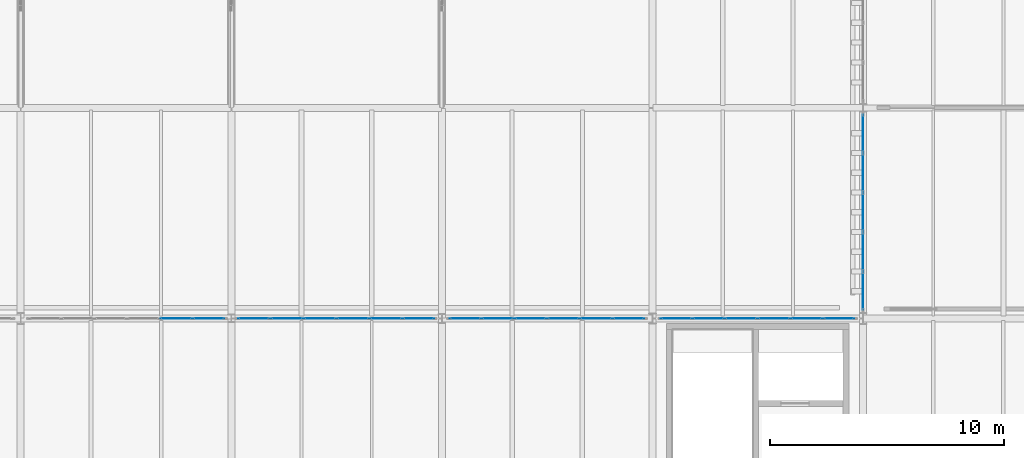
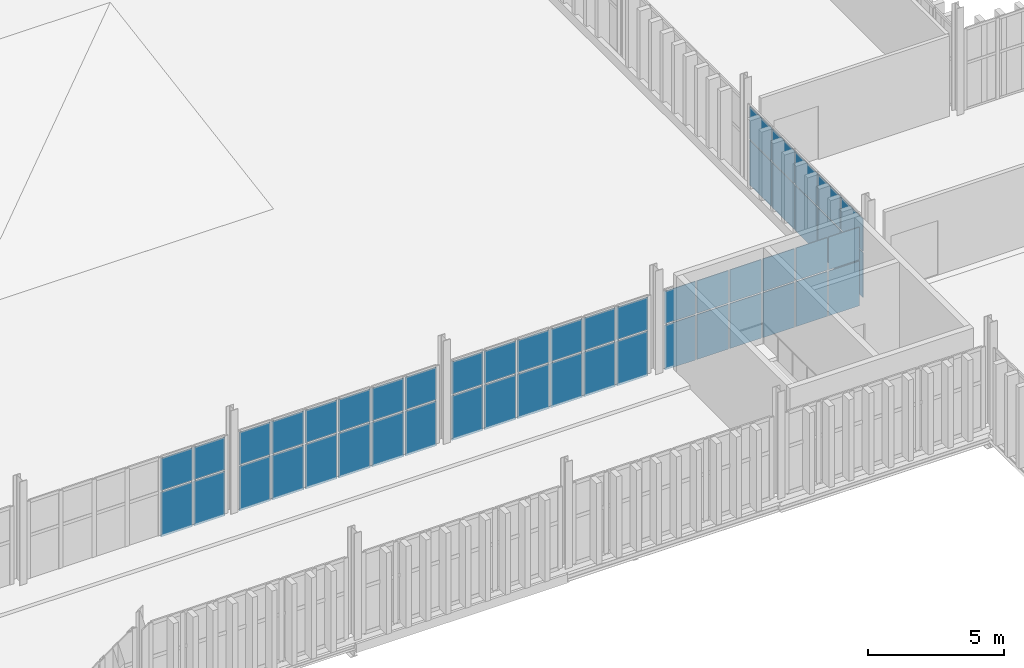
# One storey, part 160 of 196: 50 plates, 5 elements without a shape of their own.
"""IFC4 building model written with IfcOpenShell, lengths in metres."""

from ifc_helpers import new_model, si_unit, direction, frame, origin, origin_2d, place, context, subcontext, project, spatial, rectangle, extrude, material, layer, layer_set, type_object, element, aggregate, save


model = new_model("IFC4")

# Units and contexts
model_context = context("Model", 3, precision=1e-05, world=origin(), true_north=direction((0.0, 1.0)))
body_context = subcontext(model_context, "Body", "Model", "MODEL_VIEW")
ifc_project = project(units=[si_unit("LENGTHUNIT", "METRE"), si_unit("AREAUNIT", "SQUARE_METRE"), si_unit("VOLUMEUNIT", "CUBIC_METRE"), si_unit("PLANEANGLEUNIT", "RADIAN"), si_unit("MASSUNIT", "GRAM", prefix="KILO")], contexts=[model_context])

# Site, building, storey
site_placement = place(None, origin())
site = spatial("IfcSite", under=ifc_project, at=site_placement, CompositionType="ELEMENT")
building_placement = place(site_placement, origin())
building = spatial("IfcBuilding", under=site, at=building_placement, Name="Barlavento Convention Centre", CompositionType="ELEMENT")
storey_placement = place(building_placement, frame((0.0, 0.0, 18.0)))
storey = spatial("IfcBuildingStorey", under=building, at=storey_placement, Name="L03", CompositionType="ELEMENT", Elevation=18.0)

# Curtain wall, plates
ifc_material_1 = material(Name="Powder-coated aluminium and Low-E glass", Category="aluminium")
ifc_layer_1 = layer(ifc_material_1, 0.179931640625)
ifc_layer_set_1 = layer_set([ifc_layer_1], Name="ARC-CW-CONF-L03")
curtain_wall_type = type_object("IfcCurtainWallType", Name="ARC-CW-CONF-L03", PredefinedType="NOTDEFINED", material=ifc_layer_set_1)
curtain_wall_1_placement = place(storey_placement, origin())
curtain_wall_1 = element("IfcCurtainWall", 1, at=curtain_wall_1_placement, inside=storey, type_object=curtain_wall_type, Name="L03 unitised curtain wall CW08", PredefinedType="NOTDEFINED")
ifc_material_2 = material(Name="Double-silver Low-E insulated glass", Category="glass")
ifc_layer_2 = layer(ifc_material_2, 0.028076171875)
ifc_layer_set_2 = layer_set([ifc_layer_2], Name="ARC-CWP-GLZ28")
plate_type = type_object("IfcPlateType", Name="ARC-CWP-GLZ28", PredefinedType="CURTAIN_PANEL", material=ifc_layer_set_2)
plate_1_placement = place(storey_placement, frame((96.64990234375, 54.0, 0.06005859375), z_axis=(0.0, 0.0, 1.0), x_axis=(1.0, 0.0, 0.0)))
plate_1 = element("IfcPlate", 2, at=plate_1_placement, type_object=plate_type, Name="CW08 panel 5.1", PredefinedType="CURTAIN_PANEL", context=body_context, shape_type="SweptSolid", body=[
    extrude(rectangle(XDim=1.3466796875, YDim=0.028076171875, at=origin_2d()), origin(), (0.0, 0.0, 1.0), 2.010009765625),
])
plate_2_placement = place(storey_placement, frame((96.64990234375, 54.0, 2.130126953125), z_axis=(0.0, 0.0, 1.0), x_axis=(1.0, 0.0, 0.0)))
plate_2 = element("IfcPlate", 3, at=plate_2_placement, type_object=plate_type, Name="CW08 panel 5.2", PredefinedType="CURTAIN_PANEL", context=body_context, shape_type="SweptSolid", body=[
    extrude(rectangle(XDim=1.3466796875, YDim=0.028076171875, at=origin_2d()), origin(), (0.0, 0.0, 1.0), 1.4599609375),
])
plate_3_placement = place(storey_placement, frame((98.041748046875, 54.0, 0.06005859375), z_axis=(0.0, 0.0, 1.0), x_axis=(1.0, 0.0, 0.0)))
plate_3 = element("IfcPlate", 4, at=plate_3_placement, type_object=plate_type, Name="CW08 panel 6.1", PredefinedType="CURTAIN_PANEL", context=body_context, shape_type="SweptSolid", body=[
    extrude(rectangle(XDim=1.316650390625, YDim=0.028076171875, at=origin_2d()), origin(), (0.0, 0.0, 1.0), 2.010009765625),
])
plate_4_placement = place(storey_placement, frame((98.041748046875, 54.0, 2.130126953125), z_axis=(0.0, 0.0, 1.0), x_axis=(1.0, 0.0, 0.0)))
plate_4 = element("IfcPlate", 5, at=plate_4_placement, type_object=plate_type, Name="CW08 panel 6.2", PredefinedType="CURTAIN_PANEL", context=body_context, shape_type="SweptSolid", body=[
    extrude(rectangle(XDim=1.316650390625, YDim=0.028076171875, at=origin_2d()), origin(), (0.0, 0.0, 1.0), 1.4599609375),
])
aggregate(curtain_wall_1, [plate_1, plate_2, plate_3, plate_4])

curtain_wall_2_placement = place(storey_placement, origin())
curtain_wall_2 = element("IfcCurtainWall", 6, at=curtain_wall_2_placement, inside=storey, type_object=curtain_wall_type, Name="L03 unitised curtain wall CW08", PredefinedType="NOTDEFINED")
plate_5_placement = place(storey_placement, frame((99.96240234375, 54.0, 0.06005859375), z_axis=(0.0, 0.0, 1.0), x_axis=(1.0, 0.0, 0.0)))
plate_5 = element("IfcPlate", 7, at=plate_5_placement, type_object=plate_type, Name="CW08 panel 1.1", PredefinedType="CURTAIN_PANEL", context=body_context, shape_type="SweptSolid", body=[
    extrude(rectangle(XDim=1.324951171875, YDim=0.028076171875, at=origin_2d()), origin(), (0.0, 0.0, 1.0), 2.010009765625),
])
plate_6_placement = place(storey_placement, frame((99.96240234375, 54.0, 2.130126953125), z_axis=(0.0, 0.0, 1.0), x_axis=(1.0, 0.0, 0.0)))
plate_6 = element("IfcPlate", 8, at=plate_6_placement, type_object=plate_type, Name="CW08 panel 1.2", PredefinedType="CURTAIN_PANEL", context=body_context, shape_type="SweptSolid", body=[
    extrude(rectangle(XDim=1.324951171875, YDim=0.028076171875, at=origin_2d()), origin(), (0.0, 0.0, 1.0), 1.4599609375),
])
plate_7_placement = place(storey_placement, frame((101.362548828125, 54.0, 0.06005859375), z_axis=(0.0, 0.0, 1.0), x_axis=(1.0, 0.0, 0.0)))
plate_7 = element("IfcPlate", 9, at=plate_7_placement, type_object=plate_type, Name="CW08 panel 2.1", PredefinedType="CURTAIN_PANEL", context=body_context, shape_type="SweptSolid", body=[
    extrude(rectangle(XDim=1.35498046875, YDim=0.028076171875, at=origin_2d()), origin(), (0.0, 0.0, 1.0), 2.010009765625),
])
plate_8_placement = place(storey_placement, frame((101.362548828125, 54.0, 2.130126953125), z_axis=(0.0, 0.0, 1.0), x_axis=(1.0, 0.0, 0.0)))
plate_8 = element("IfcPlate", 10, at=plate_8_placement, type_object=plate_type, Name="CW08 panel 2.2", PredefinedType="CURTAIN_PANEL", context=body_context, shape_type="SweptSolid", body=[
    extrude(rectangle(XDim=1.35498046875, YDim=0.028076171875, at=origin_2d()), origin(), (0.0, 0.0, 1.0), 1.4599609375),
])
plate_9_placement = place(storey_placement, frame((102.777587890625, 54.0, 0.06005859375), z_axis=(0.0, 0.0, 1.0), x_axis=(1.0, 0.0, 0.0)))
plate_9 = element("IfcPlate", 11, at=plate_9_placement, type_object=plate_type, Name="CW08 panel 3.1", PredefinedType="CURTAIN_PANEL", context=body_context, shape_type="SweptSolid", body=[
    extrude(rectangle(XDim=1.35498046875, YDim=0.028076171875, at=origin_2d()), origin(), (0.0, 0.0, 1.0), 2.010009765625),
])
plate_10_placement = place(storey_placement, frame((102.777587890625, 54.0, 2.130126953125), z_axis=(0.0, 0.0, 1.0), x_axis=(1.0, 0.0, 0.0)))
plate_10 = element("IfcPlate", 12, at=plate_10_placement, type_object=plate_type, Name="CW08 panel 3.2", PredefinedType="CURTAIN_PANEL", context=body_context, shape_type="SweptSolid", body=[
    extrude(rectangle(XDim=1.35498046875, YDim=0.028076171875, at=origin_2d()), origin(), (0.0, 0.0, 1.0), 1.4599609375),
])
plate_11_placement = place(storey_placement, frame((104.1923828125, 54.0, 0.06005859375), z_axis=(0.0, 0.0, 1.0), x_axis=(1.0, 0.0, 0.0)))
plate_11 = element("IfcPlate", 13, at=plate_11_placement, type_object=plate_type, Name="CW08 panel 4.1", PredefinedType="CURTAIN_PANEL", context=body_context, shape_type="SweptSolid", body=[
    extrude(rectangle(XDim=1.35498046875, YDim=0.028076171875, at=origin_2d()), origin(), (0.0, 0.0, 1.0), 2.010009765625),
])
plate_12_placement = place(storey_placement, frame((104.1923828125, 54.0, 2.130126953125), z_axis=(0.0, 0.0, 1.0), x_axis=(1.0, 0.0, 0.0)))
plate_12 = element("IfcPlate", 14, at=plate_12_placement, type_object=plate_type, Name="CW08 panel 4.2", PredefinedType="CURTAIN_PANEL", context=body_context, shape_type="SweptSolid", body=[
    extrude(rectangle(XDim=1.35498046875, YDim=0.028076171875, at=origin_2d()), origin(), (0.0, 0.0, 1.0), 1.4599609375),
])
plate_13_placement = place(storey_placement, frame((105.607421875, 54.0, 0.06005859375), z_axis=(0.0, 0.0, 1.0), x_axis=(1.0, 0.0, 0.0)))
plate_13 = element("IfcPlate", 15, at=plate_13_placement, type_object=plate_type, Name="CW08 panel 5.1", PredefinedType="CURTAIN_PANEL", context=body_context, shape_type="SweptSolid", body=[
    extrude(rectangle(XDim=1.35498046875, YDim=0.028076171875, at=origin_2d()), origin(), (0.0, 0.0, 1.0), 2.010009765625),
])
plate_14_placement = place(storey_placement, frame((105.607421875, 54.0, 2.130126953125), z_axis=(0.0, 0.0, 1.0), x_axis=(1.0, 0.0, 0.0)))
plate_14 = element("IfcPlate", 16, at=plate_14_placement, type_object=plate_type, Name="CW08 panel 5.2", PredefinedType="CURTAIN_PANEL", context=body_context, shape_type="SweptSolid", body=[
    extrude(rectangle(XDim=1.35498046875, YDim=0.028076171875, at=origin_2d()), origin(), (0.0, 0.0, 1.0), 1.4599609375),
])
plate_15_placement = place(storey_placement, frame((107.007568359375, 54.0, 0.06005859375), z_axis=(0.0, 0.0, 1.0), x_axis=(1.0, 0.0, 0.0)))
plate_15 = element("IfcPlate", 17, at=plate_15_placement, type_object=plate_type, Name="CW08 panel 6.1", PredefinedType="CURTAIN_PANEL", context=body_context, shape_type="SweptSolid", body=[
    extrude(rectangle(XDim=1.324951171875, YDim=0.028076171875, at=origin_2d()), origin(), (0.0, 0.0, 1.0), 2.010009765625),
])
plate_16_placement = place(storey_placement, frame((107.007568359375, 54.0, 2.130126953125), z_axis=(0.0, 0.0, 1.0), x_axis=(1.0, 0.0, 0.0)))
plate_16 = element("IfcPlate", 18, at=plate_16_placement, type_object=plate_type, Name="CW08 panel 6.2", PredefinedType="CURTAIN_PANEL", context=body_context, shape_type="SweptSolid", body=[
    extrude(rectangle(XDim=1.324951171875, YDim=0.028076171875, at=origin_2d()), origin(), (0.0, 0.0, 1.0), 1.4599609375),
])
aggregate(curtain_wall_2, [plate_5, plate_6, plate_7, plate_8, plate_9, plate_10, plate_11, plate_12, plate_13, plate_14, plate_15, plate_16])

curtain_wall_3_placement = place(storey_placement, origin())
curtain_wall_3 = element("IfcCurtainWall", 19, at=curtain_wall_3_placement, inside=storey, type_object=curtain_wall_type, Name="L03 unitised curtain wall CW08", PredefinedType="NOTDEFINED")
plate_17_placement = place(storey_placement, frame((108.988037109375, 54.0, 0.06005859375), z_axis=(0.0, 0.0, 1.0), x_axis=(1.0, 0.0, 0.0)))
plate_17 = element("IfcPlate", 20, at=plate_17_placement, type_object=plate_type, Name="CW08 panel 1.1", PredefinedType="CURTAIN_PANEL", context=body_context, shape_type="SweptSolid", body=[
    extrude(rectangle(XDim=1.31591796875, YDim=0.028076171875, at=origin_2d()), origin(), (0.0, 0.0, 1.0), 2.010009765625),
])
plate_18_placement = place(storey_placement, frame((108.988037109375, 54.0, 2.130126953125), z_axis=(0.0, 0.0, 1.0), x_axis=(1.0, 0.0, 0.0)))
plate_18 = element("IfcPlate", 21, at=plate_18_placement, type_object=plate_type, Name="CW08 panel 1.2", PredefinedType="CURTAIN_PANEL", context=body_context, shape_type="SweptSolid", body=[
    extrude(rectangle(XDim=1.31591796875, YDim=0.028076171875, at=origin_2d()), origin(), (0.0, 0.0, 1.0), 1.4599609375),
])
plate_19_placement = place(storey_placement, frame((110.378662109375, 54.0, 0.06005859375), z_axis=(0.0, 0.0, 1.0), x_axis=(1.0, 0.0, 0.0)))
plate_19 = element("IfcPlate", 22, at=plate_19_placement, type_object=plate_type, Name="CW08 panel 2.1", PredefinedType="CURTAIN_PANEL", context=body_context, shape_type="SweptSolid", body=[
    extrude(rectangle(XDim=1.345947265625, YDim=0.028076171875, at=origin_2d()), origin(), (0.0, 0.0, 1.0), 2.010009765625),
])
plate_20_placement = place(storey_placement, frame((110.378662109375, 54.0, 2.130126953125), z_axis=(0.0, 0.0, 1.0), x_axis=(1.0, 0.0, 0.0)))
plate_20 = element("IfcPlate", 23, at=plate_20_placement, type_object=plate_type, Name="CW08 panel 2.2", PredefinedType="CURTAIN_PANEL", context=body_context, shape_type="SweptSolid", body=[
    extrude(rectangle(XDim=1.345947265625, YDim=0.028076171875, at=origin_2d()), origin(), (0.0, 0.0, 1.0), 1.4599609375),
])
plate_21_placement = place(storey_placement, frame((111.78466796875, 54.0, 0.06005859375), z_axis=(0.0, 0.0, 1.0), x_axis=(1.0, 0.0, 0.0)))
plate_21 = element("IfcPlate", 24, at=plate_21_placement, type_object=plate_type, Name="CW08 panel 3.1", PredefinedType="CURTAIN_PANEL", context=body_context, shape_type="SweptSolid", body=[
    extrude(rectangle(XDim=1.345947265625, YDim=0.028076171875, at=origin_2d()), origin(), (0.0, 0.0, 1.0), 2.010009765625),
])
plate_22_placement = place(storey_placement, frame((111.78466796875, 54.0, 2.130126953125), z_axis=(0.0, 0.0, 1.0), x_axis=(1.0, 0.0, 0.0)))
plate_22 = element("IfcPlate", 25, at=plate_22_placement, type_object=plate_type, Name="CW08 panel 3.2", PredefinedType="CURTAIN_PANEL", context=body_context, shape_type="SweptSolid", body=[
    extrude(rectangle(XDim=1.345947265625, YDim=0.028076171875, at=origin_2d()), origin(), (0.0, 0.0, 1.0), 1.4599609375),
])
plate_23_placement = place(storey_placement, frame((113.1904296875, 54.0, 0.06005859375), z_axis=(0.0, 0.0, 1.0), x_axis=(1.0, 0.0, 0.0)))
plate_23 = element("IfcPlate", 26, at=plate_23_placement, type_object=plate_type, Name="CW08 panel 4.1", PredefinedType="CURTAIN_PANEL", context=body_context, shape_type="SweptSolid", body=[
    extrude(rectangle(XDim=1.345947265625, YDim=0.028076171875, at=origin_2d()), origin(), (0.0, 0.0, 1.0), 2.010009765625),
])
plate_24_placement = place(storey_placement, frame((113.1904296875, 54.0, 2.130126953125), z_axis=(0.0, 0.0, 1.0), x_axis=(1.0, 0.0, 0.0)))
plate_24 = element("IfcPlate", 27, at=plate_24_placement, type_object=plate_type, Name="CW08 panel 4.2", PredefinedType="CURTAIN_PANEL", context=body_context, shape_type="SweptSolid", body=[
    extrude(rectangle(XDim=1.345947265625, YDim=0.028076171875, at=origin_2d()), origin(), (0.0, 0.0, 1.0), 1.4599609375),
])
plate_25_placement = place(storey_placement, frame((114.59619140625, 54.0, 0.06005859375), z_axis=(0.0, 0.0, 1.0), x_axis=(1.0, 0.0, 0.0)))
plate_25 = element("IfcPlate", 28, at=plate_25_placement, type_object=plate_type, Name="CW08 panel 5.1", PredefinedType="CURTAIN_PANEL", context=body_context, shape_type="SweptSolid", body=[
    extrude(rectangle(XDim=1.345947265625, YDim=0.028076171875, at=origin_2d()), origin(), (0.0, 0.0, 1.0), 2.010009765625),
])
plate_26_placement = place(storey_placement, frame((114.59619140625, 54.0, 2.130126953125), z_axis=(0.0, 0.0, 1.0), x_axis=(1.0, 0.0, 0.0)))
plate_26 = element("IfcPlate", 29, at=plate_26_placement, type_object=plate_type, Name="CW08 panel 5.2", PredefinedType="CURTAIN_PANEL", context=body_context, shape_type="SweptSolid", body=[
    extrude(rectangle(XDim=1.345947265625, YDim=0.028076171875, at=origin_2d()), origin(), (0.0, 0.0, 1.0), 1.4599609375),
])
plate_27_placement = place(storey_placement, frame((115.987060546875, 54.0, 0.06005859375), z_axis=(0.0, 0.0, 1.0), x_axis=(1.0, 0.0, 0.0)))
plate_27 = element("IfcPlate", 30, at=plate_27_placement, type_object=plate_type, Name="CW08 panel 6.1", PredefinedType="CURTAIN_PANEL", context=body_context, shape_type="SweptSolid", body=[
    extrude(rectangle(XDim=1.31591796875, YDim=0.028076171875, at=origin_2d()), origin(), (0.0, 0.0, 1.0), 2.010009765625),
])
plate_28_placement = place(storey_placement, frame((115.987060546875, 54.0, 2.130126953125), z_axis=(0.0, 0.0, 1.0), x_axis=(1.0, 0.0, 0.0)))
plate_28 = element("IfcPlate", 31, at=plate_28_placement, type_object=plate_type, Name="CW08 panel 6.2", PredefinedType="CURTAIN_PANEL", context=body_context, shape_type="SweptSolid", body=[
    extrude(rectangle(XDim=1.31591796875, YDim=0.028076171875, at=origin_2d()), origin(), (0.0, 0.0, 1.0), 1.4599609375),
])
aggregate(curtain_wall_3, [plate_17, plate_18, plate_19, plate_20, plate_21, plate_22, plate_23, plate_24, plate_25, plate_26, plate_27, plate_28])

curtain_wall_4_placement = place(storey_placement, origin())
curtain_wall_4 = element("IfcCurtainWall", 32, at=curtain_wall_4_placement, inside=storey, type_object=curtain_wall_type, Name="L03 unitised curtain wall CW08", PredefinedType="NOTDEFINED")
plate_29_placement = place(storey_placement, frame((118.0087890625, 54.0, 0.06005859375), z_axis=(0.0, 0.0, 1.0), x_axis=(1.0, 0.0, 0.0)))
plate_29 = element("IfcPlate", 33, at=plate_29_placement, type_object=plate_type, Name="CW08 panel 1.1", PredefinedType="CURTAIN_PANEL", context=body_context, shape_type="SweptSolid", body=[
    extrude(rectangle(XDim=1.3076171875, YDim=0.028076171875, at=origin_2d()), origin(), (0.0, 0.0, 1.0), 2.010009765625),
])
plate_30_placement = place(storey_placement, frame((118.0087890625, 54.0, 2.130126953125), z_axis=(0.0, 0.0, 1.0), x_axis=(1.0, 0.0, 0.0)))
plate_30 = element("IfcPlate", 34, at=plate_30_placement, type_object=plate_type, Name="CW08 panel 1.2", PredefinedType="CURTAIN_PANEL", context=body_context, shape_type="SweptSolid", body=[
    extrude(rectangle(XDim=1.3076171875, YDim=0.028076171875, at=origin_2d()), origin(), (0.0, 0.0, 1.0), 1.4599609375),
])
plate_31_placement = place(storey_placement, frame((119.391357421875, 54.0, 0.06005859375), z_axis=(0.0, 0.0, 1.0), x_axis=(1.0, 0.0, 0.0)))
plate_31 = element("IfcPlate", 35, at=plate_31_placement, type_object=plate_type, Name="CW08 panel 2.1", PredefinedType="CURTAIN_PANEL", context=body_context, shape_type="SweptSolid", body=[
    extrude(rectangle(XDim=1.33740234375, YDim=0.028076171875, at=origin_2d()), origin(), (0.0, 0.0, 1.0), 2.010009765625),
])
plate_32_placement = place(storey_placement, frame((119.391357421875, 54.0, 2.130126953125), z_axis=(0.0, 0.0, 1.0), x_axis=(1.0, 0.0, 0.0)))
plate_32 = element("IfcPlate", 36, at=plate_32_placement, type_object=plate_type, Name="CW08 panel 2.2", PredefinedType="CURTAIN_PANEL", context=body_context, shape_type="SweptSolid", body=[
    extrude(rectangle(XDim=1.33740234375, YDim=0.028076171875, at=origin_2d()), origin(), (0.0, 0.0, 1.0), 1.4599609375),
])
plate_33_placement = place(storey_placement, frame((120.788818359375, 54.0, 0.06005859375), z_axis=(0.0, 0.0, 1.0), x_axis=(1.0, 0.0, 0.0)))
plate_33 = element("IfcPlate", 37, at=plate_33_placement, type_object=plate_type, Name="CW08 panel 3.1", PredefinedType="CURTAIN_PANEL", context=body_context, shape_type="SweptSolid", body=[
    extrude(rectangle(XDim=1.33740234375, YDim=0.028076171875, at=origin_2d()), origin(), (0.0, 0.0, 1.0), 2.010009765625),
])
plate_34_placement = place(storey_placement, frame((120.788818359375, 54.0, 2.130126953125), z_axis=(0.0, 0.0, 1.0), x_axis=(1.0, 0.0, 0.0)))
plate_34 = element("IfcPlate", 38, at=plate_34_placement, type_object=plate_type, Name="CW08 panel 3.2", PredefinedType="CURTAIN_PANEL", context=body_context, shape_type="SweptSolid", body=[
    extrude(rectangle(XDim=1.33740234375, YDim=0.028076171875, at=origin_2d()), origin(), (0.0, 0.0, 1.0), 1.4599609375),
])
plate_35_placement = place(storey_placement, frame((122.186279296875, 54.0, 0.06005859375), z_axis=(0.0, 0.0, 1.0), x_axis=(1.0, 0.0, 0.0)))
plate_35 = element("IfcPlate", 39, at=plate_35_placement, type_object=plate_type, Name="CW08 panel 4.1", PredefinedType="CURTAIN_PANEL", context=body_context, shape_type="SweptSolid", body=[
    extrude(rectangle(XDim=1.33740234375, YDim=0.028076171875, at=origin_2d()), origin(), (0.0, 0.0, 1.0), 2.010009765625),
])
plate_36_placement = place(storey_placement, frame((122.186279296875, 54.0, 2.130126953125), z_axis=(0.0, 0.0, 1.0), x_axis=(1.0, 0.0, 0.0)))
plate_36 = element("IfcPlate", 40, at=plate_36_placement, type_object=plate_type, Name="CW08 panel 4.2", PredefinedType="CURTAIN_PANEL", context=body_context, shape_type="SweptSolid", body=[
    extrude(rectangle(XDim=1.33740234375, YDim=0.028076171875, at=origin_2d()), origin(), (0.0, 0.0, 1.0), 1.4599609375),
])
plate_37_placement = place(storey_placement, frame((123.583740234375, 54.0, 0.06005859375), z_axis=(0.0, 0.0, 1.0), x_axis=(1.0, 0.0, 0.0)))
plate_37 = element("IfcPlate", 41, at=plate_37_placement, type_object=plate_type, Name="CW08 panel 5.1", PredefinedType="CURTAIN_PANEL", context=body_context, shape_type="SweptSolid", body=[
    extrude(rectangle(XDim=1.33740234375, YDim=0.028076171875, at=origin_2d()), origin(), (0.0, 0.0, 1.0), 2.010009765625),
])
plate_38_placement = place(storey_placement, frame((123.583740234375, 54.0, 2.130126953125), z_axis=(0.0, 0.0, 1.0), x_axis=(1.0, 0.0, 0.0)))
plate_38 = element("IfcPlate", 42, at=plate_38_placement, type_object=plate_type, Name="CW08 panel 5.2", PredefinedType="CURTAIN_PANEL", context=body_context, shape_type="SweptSolid", body=[
    extrude(rectangle(XDim=1.33740234375, YDim=0.028076171875, at=origin_2d()), origin(), (0.0, 0.0, 1.0), 1.4599609375),
])
plate_39_placement = place(storey_placement, frame((124.96630859375, 54.0, 0.06005859375), z_axis=(0.0, 0.0, 1.0), x_axis=(1.0, 0.0, 0.0)))
plate_39 = element("IfcPlate", 43, at=plate_39_placement, type_object=plate_type, Name="CW08 panel 6.1", PredefinedType="CURTAIN_PANEL", context=body_context, shape_type="SweptSolid", body=[
    extrude(rectangle(XDim=1.3076171875, YDim=0.028076171875, at=origin_2d()), origin(), (0.0, 0.0, 1.0), 2.010009765625),
])
plate_40_placement = place(storey_placement, frame((124.96630859375, 54.0, 2.130126953125), z_axis=(0.0, 0.0, 1.0), x_axis=(1.0, 0.0, 0.0)))
plate_40 = element("IfcPlate", 44, at=plate_40_placement, type_object=plate_type, Name="CW08 panel 6.2", PredefinedType="CURTAIN_PANEL", context=body_context, shape_type="SweptSolid", body=[
    extrude(rectangle(XDim=1.3076171875, YDim=0.028076171875, at=origin_2d()), origin(), (0.0, 0.0, 1.0), 1.4599609375),
])
aggregate(curtain_wall_4, [plate_29, plate_30, plate_31, plate_32, plate_33, plate_34, plate_35, plate_36, plate_37, plate_38, plate_39, plate_40])

curtain_wall_5_placement = place(storey_placement, origin())
curtain_wall_5 = element("IfcCurtainWall", 45, at=curtain_wall_5_placement, inside=storey, type_object=curtain_wall_type, Name="L03 unitised curtain wall CW08", PredefinedType="NOTDEFINED")
plate_41_placement = place(storey_placement, frame((126.0, 55.178955078125, 0.06005859375), z_axis=(0.0, 0.0, 1.0), x_axis=(0.0, 1.0, 0.0)))
plate_41 = element("IfcPlate", 46, at=plate_41_placement, type_object=plate_type, Name="CW08 panel 1.1", PredefinedType="CURTAIN_PANEL", context=body_context, shape_type="SweptSolid", body=[
    extrude(rectangle(XDim=1.597900390625, YDim=0.028076171875, at=origin_2d()), origin(), (0.0, 0.0, 1.0), 2.010009765625),
])
plate_42_placement = place(storey_placement, frame((126.0, 55.178955078125, 2.130126953125), z_axis=(0.0, 0.0, 1.0), x_axis=(0.0, 1.0, 0.0)))
plate_42 = element("IfcPlate", 47, at=plate_42_placement, type_object=plate_type, Name="CW08 panel 1.2", PredefinedType="CURTAIN_PANEL", context=body_context, shape_type="SweptSolid", body=[
    extrude(rectangle(XDim=1.597900390625, YDim=0.028076171875, at=origin_2d()), origin(), (0.0, 0.0, 1.0), 1.4599609375),
])
plate_43_placement = place(storey_placement, frame((126.0, 56.85205078125, 0.06005859375), z_axis=(0.0, 0.0, 1.0), x_axis=(0.0, 1.0, 0.0)))
plate_43 = element("IfcPlate", 48, at=plate_43_placement, type_object=plate_type, Name="CW08 panel 2.1", PredefinedType="CURTAIN_PANEL", context=body_context, shape_type="SweptSolid", body=[
    extrude(rectangle(XDim=1.6279296875, YDim=0.028076171875, at=origin_2d()), origin(), (0.0, 0.0, 1.0), 2.010009765625),
])
plate_44_placement = place(storey_placement, frame((126.0, 56.85205078125, 2.130126953125), z_axis=(0.0, 0.0, 1.0), x_axis=(0.0, 1.0, 0.0)))
plate_44 = element("IfcPlate", 49, at=plate_44_placement, type_object=plate_type, Name="CW08 panel 2.2", PredefinedType="CURTAIN_PANEL", context=body_context, shape_type="SweptSolid", body=[
    extrude(rectangle(XDim=1.6279296875, YDim=0.028076171875, at=origin_2d()), origin(), (0.0, 0.0, 1.0), 1.4599609375),
])
plate_45_placement = place(storey_placement, frame((126.0, 58.5400390625, 0.06005859375), z_axis=(0.0, 0.0, 1.0), x_axis=(0.0, 1.0, 0.0)))
plate_45 = element("IfcPlate", 50, at=plate_45_placement, type_object=plate_type, Name="CW08 panel 3.1", PredefinedType="CURTAIN_PANEL", context=body_context, shape_type="SweptSolid", body=[
    extrude(rectangle(XDim=1.6279296875, YDim=0.028076171875, at=origin_2d()), origin(), (0.0, 0.0, 1.0), 2.010009765625),
])
plate_46_placement = place(storey_placement, frame((126.0, 58.5400390625, 2.130126953125), z_axis=(0.0, 0.0, 1.0), x_axis=(0.0, 1.0, 0.0)))
plate_46 = element("IfcPlate", 51, at=plate_46_placement, type_object=plate_type, Name="CW08 panel 3.2", PredefinedType="CURTAIN_PANEL", context=body_context, shape_type="SweptSolid", body=[
    extrude(rectangle(XDim=1.6279296875, YDim=0.028076171875, at=origin_2d()), origin(), (0.0, 0.0, 1.0), 1.4599609375),
])
plate_47_placement = place(storey_placement, frame((126.0, 60.22802734375, 0.06005859375), z_axis=(0.0, 0.0, 1.0), x_axis=(0.0, 1.0, 0.0)))
plate_47 = element("IfcPlate", 52, at=plate_47_placement, type_object=plate_type, Name="CW08 panel 4.1", PredefinedType="CURTAIN_PANEL", context=body_context, shape_type="SweptSolid", body=[
    extrude(rectangle(XDim=1.6279296875, YDim=0.028076171875, at=origin_2d()), origin(), (0.0, 0.0, 1.0), 2.010009765625),
])
plate_48_placement = place(storey_placement, frame((126.0, 60.22802734375, 2.130126953125), z_axis=(0.0, 0.0, 1.0), x_axis=(0.0, 1.0, 0.0)))
plate_48 = element("IfcPlate", 53, at=plate_48_placement, type_object=plate_type, Name="CW08 panel 4.2", PredefinedType="CURTAIN_PANEL", context=body_context, shape_type="SweptSolid", body=[
    extrude(rectangle(XDim=1.6279296875, YDim=0.028076171875, at=origin_2d()), origin(), (0.0, 0.0, 1.0), 1.4599609375),
])
plate_49_placement = place(storey_placement, frame((126.0, 61.90087890625, 0.06005859375), z_axis=(0.0, 0.0, 1.0), x_axis=(0.0, 1.0, 0.0)))
plate_49 = element("IfcPlate", 54, at=plate_49_placement, type_object=plate_type, Name="CW08 panel 5.1", PredefinedType="CURTAIN_PANEL", context=body_context, shape_type="SweptSolid", body=[
    extrude(rectangle(XDim=1.597900390625, YDim=0.028076171875, at=origin_2d()), origin(), (0.0, 0.0, 1.0), 2.010009765625),
])
plate_50_placement = place(storey_placement, frame((126.0, 61.90087890625, 2.130126953125), z_axis=(0.0, 0.0, 1.0), x_axis=(0.0, 1.0, 0.0)))
plate_50 = element("IfcPlate", 55, at=plate_50_placement, type_object=plate_type, Name="CW08 panel 5.2", PredefinedType="CURTAIN_PANEL", context=body_context, shape_type="SweptSolid", body=[
    extrude(rectangle(XDim=1.597900390625, YDim=0.028076171875, at=origin_2d()), origin(), (0.0, 0.0, 1.0), 1.4599609375),
])
aggregate(curtain_wall_5, [plate_41, plate_42, plate_43, plate_44, plate_45, plate_46, plate_47, plate_48, plate_49, plate_50])

save(model, "model.ifc")
